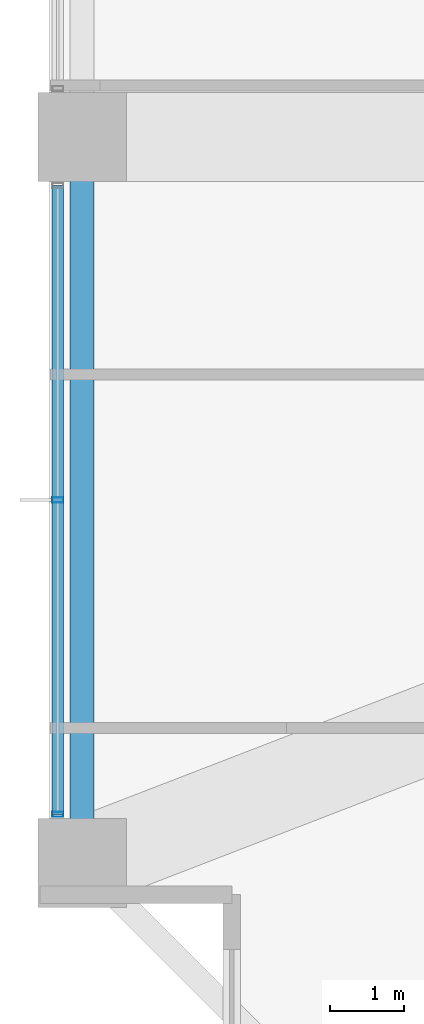
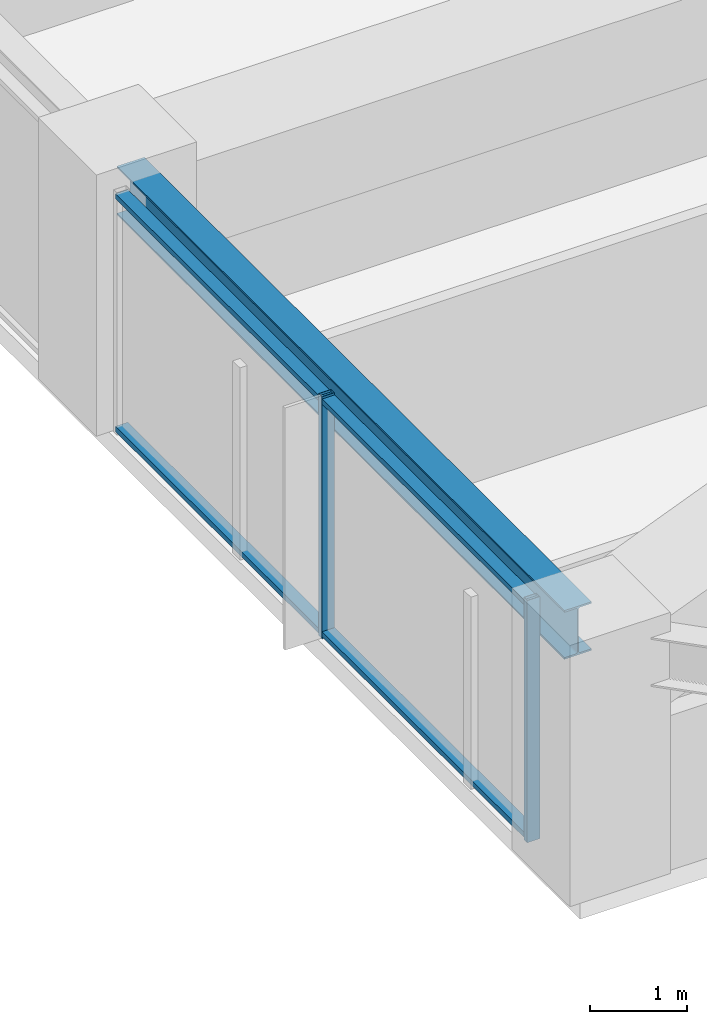
# One storey, part 3 of 37: 4 members, 1 beam, 1 element without a shape of its own.
"""IFC4 building model written with IfcOpenShell, lengths in metres."""

from ifc_helpers import new_model, si_unit, direction, frame, origin, origin_2d, place, context, subcontext, project, spatial, hollow_rectangle, i_section, extrude, material, material_profile, profile_set, type_object, element, aggregate, save


model = new_model("IFC4")

# Units and contexts
model_context = context("Model", 3, precision=1e-05, world=origin(), true_north=direction((0.0, 1.0)))
body_context = subcontext(model_context, "Body", "Model", "MODEL_VIEW")
ifc_project = project(units=[si_unit("LENGTHUNIT", "METRE"), si_unit("AREAUNIT", "SQUARE_METRE"), si_unit("VOLUMEUNIT", "CUBIC_METRE"), si_unit("PLANEANGLEUNIT", "RADIAN"), si_unit("MASSUNIT", "GRAM", prefix="KILO")], contexts=[model_context])

# Site, building, storey
site_placement = place(None, origin())
site = spatial("IfcSite", under=ifc_project, at=site_placement, CompositionType="ELEMENT")
building_placement = place(site_placement, origin())
building = spatial("IfcBuilding", under=site, at=building_placement, Name="Kolvaren Belvedere", CompositionType="ELEMENT")
storey_placement = place(building_placement, frame((0.0, 0.0, 37.0)))
storey = spatial("IfcBuildingStorey", under=building, at=storey_placement, Name="L10", CompositionType="ELEMENT", Elevation=37.0)

# Beam
ifc_material_1 = material(Name="Structural steel ASTM A992 Grade 50", Category="steel")
ifc_material_profile_1 = material_profile(ifc_material_1, i_section(OverallWidth=0.324951171875, OverallDepth=0.615966796875, WebThickness=0.013916015625, FlangeThickness=0.021484375, FilletRadius=0.02001953125, at=origin_2d()), Name="W24X117")
ifc_profile_set_1 = profile_set([ifc_material_profile_1], Name="Structural steel ASTM A992 Grade 50")
beam_type = type_object("IfcBeamType", Name="BM-SPAN-W24X117", PredefinedType="SPANDREL", material=ifc_profile_set_1)
beam_placement = place(storey_placement, frame((-21.550048828125, -4.8701171875, 2.751953125), z_axis=(0.0, -1.0, 0.0), x_axis=(1.0, 0.0, 0.0)))
element("IfcBeam", 1, at=beam_placement, inside=storey, type_object=beam_type, Name="L10 Perimeter Spandrel W2-W1", PredefinedType="SPANDREL", context=body_context, shape_type="SweptSolid", body=[
    extrude(i_section(OverallWidth=0.324951171875, OverallDepth=0.615966796875, WebThickness=0.013916015625, FlangeThickness=0.021484375, FilletRadius=0.02001953125, at=origin_2d()), origin(), (0.0, 0.0, 1.0), 9.259765625),
])

# Curtain wall, members
ifc_material_2 = material(Name="Anodised pale-metal aluminium AA 6063-T6", Category="aluminium")
curtain_wall_type = type_object("IfcCurtainWallType", Name="CW-Z1-LOW", PredefinedType="NOTDEFINED", material=ifc_material_2)
curtain_wall_placement = place(storey_placement, origin())
curtain_wall = element("IfcCurtainWall", 2, at=curtain_wall_placement, inside=storey, type_object=curtain_wall_type, Name="L10 Unitised Curtain Wall FCW-L10-W-B1", PredefinedType="NOTDEFINED")
ifc_material_3 = material(Name="Anodised pale-metal aluminium AA 6063-T6", Category="aluminium")
ifc_material_profile_2 = material_profile(ifc_material_3, hollow_rectangle(XDim=0.070068359375, YDim=0.14990234375, WallThickness=0.004150390625, at=origin_2d()), Name="ALU-MUL-150X70")
ifc_profile_set_2 = profile_set([ifc_material_profile_2], Name="Anodised pale-metal aluminium AA 6063-T6")
member_type_1 = type_object("IfcMemberType", Name="CW-MUL-150", PredefinedType="MULLION", material=ifc_profile_set_2)
member_1_placement = place(storey_placement, frame((-21.8798828125, -13.7451171875, 0.0), z_axis=(0.0, 0.0, 1.0), x_axis=(0.0, 1.0, 0.0)))
member_1 = element("IfcMember", 3, at=member_1_placement, type_object=member_type_1, Name="FCW-L10-W-B1 Unitised Mullion 1", PredefinedType="MULLION", context=body_context, shape_type="SweptSolid", body=[
    extrude(hollow_rectangle(XDim=0.070068359375, YDim=0.14990234375, WallThickness=0.004150390625, at=origin_2d()), origin(), (0.0, 0.0, 1.0), 3.06005859375),
])
member_2_placement = place(storey_placement, frame((-21.8798828125, -9.5, 0.0), z_axis=(0.0, 0.0, 1.0), x_axis=(0.0, 1.0, 0.0)))
member_2 = element("IfcMember", 4, at=member_2_placement, type_object=member_type_1, Name="FCW-L10-W-B1 Unitised Mullion 2", PredefinedType="MULLION", context=body_context, shape_type="SweptSolid", body=[
    extrude(hollow_rectangle(XDim=0.070068359375, YDim=0.14990234375, WallThickness=0.004150390625, at=origin_2d()), origin(), (0.0, 0.0, 1.0), 3.06005859375),
])
ifc_material_4 = material(Name="Anodised pale-metal aluminium AA 6063-T6", Category="aluminium")
ifc_material_profile_3 = material_profile(ifc_material_4, hollow_rectangle(XDim=0.06494140625, YDim=0.14990234375, WallThickness=0.00390625, at=origin_2d()), Name="ALU-TRN-150X65")
ifc_profile_set_3 = profile_set([ifc_material_profile_3], Name="Anodised pale-metal aluminium AA 6063-T6")
member_type_2 = type_object("IfcMemberType", Name="CW-TRN-150", PredefinedType="USERDEFINED", material=ifc_profile_set_3)
member_3_placement = place(storey_placement, frame((-21.8798828125, -13.7451171875, 0.06005859375), z_axis=(0.0, 1.0, 0.0), x_axis=(0.0, 0.0, 1.0)))
member_3 = element("IfcMember", 5, at=member_3_placement, type_object=member_type_2, Name="FCW-L10-W-B1 Sill Transom", ObjectType="TRANSOM", PredefinedType="USERDEFINED", context=body_context, shape_type="SweptSolid", body=[
    extrude(hollow_rectangle(XDim=0.06494140625, YDim=0.14990234375, WallThickness=0.00390625, at=origin_2d()), origin(), (0.0, 0.0, 1.0), 8.490234375),
])
member_4_placement = place(storey_placement, frame((-21.8798828125, -13.7451171875, 3.0), z_axis=(0.0, 1.0, 0.0), x_axis=(0.0, 0.0, 1.0)))
member_4 = element("IfcMember", 6, at=member_4_placement, type_object=member_type_2, Name="FCW-L10-W-B1 Head Transom", ObjectType="TRANSOM", PredefinedType="USERDEFINED", context=body_context, shape_type="SweptSolid", body=[
    extrude(hollow_rectangle(XDim=0.06494140625, YDim=0.14990234375, WallThickness=0.00390625, at=origin_2d()), origin(), (0.0, 0.0, 1.0), 8.490234375),
])
aggregate(curtain_wall, [member_1, member_2, member_3, member_4])

save(model, "model.ifc")
